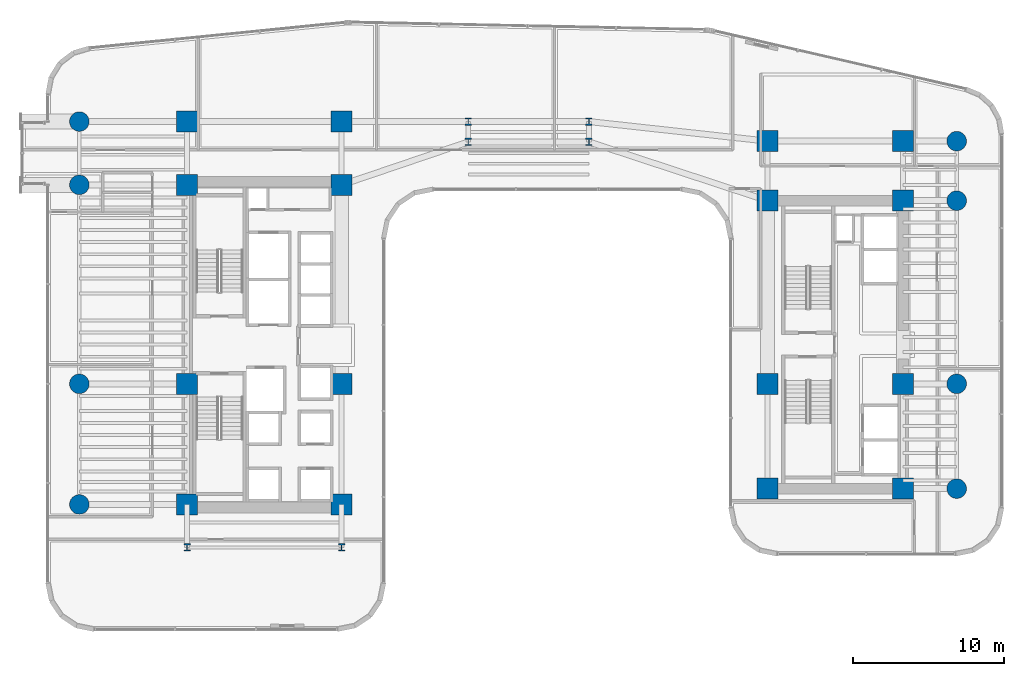
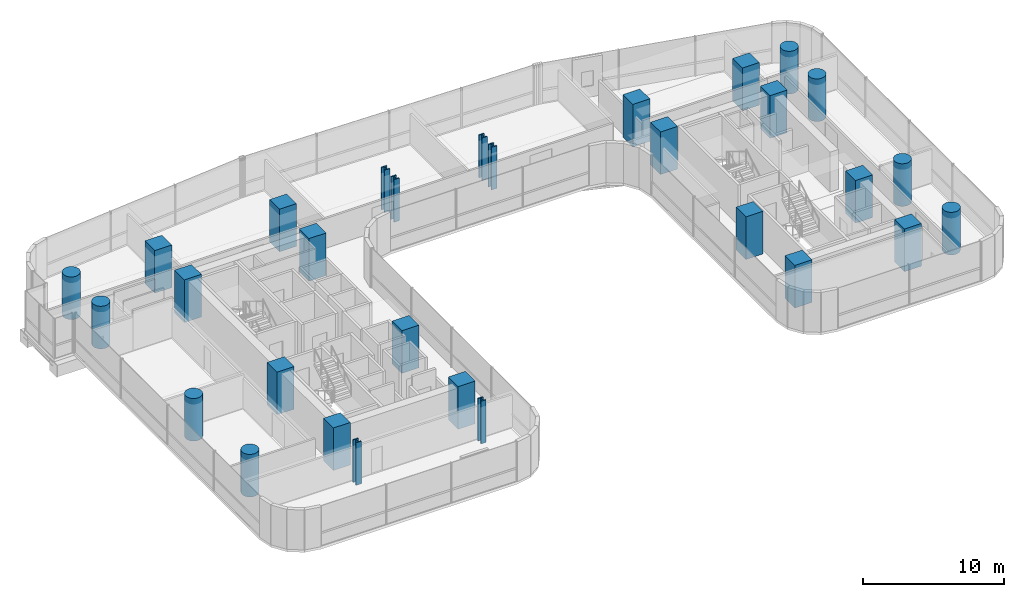
# One storey, part 1 of 40: 30 columns.
"""IFC4 building model written with IfcOpenShell, lengths in metres."""

from ifc_helpers import new_model, si_unit, direction, frame, origin, origin_2d, place, context, subcontext, project, spatial, rectangle, circle, i_section, extrude, source, transform, mapped, material, material_profile, profile_set, type_object, element, save


model = new_model("IFC4")

# Units and contexts
model_context = context("Model", 3, precision=1e-05, world=origin(), true_north=direction((0.0, 1.0)))
body_context = subcontext(model_context, "Body", "Model", "MODEL_VIEW")
ifc_project = project(units=[si_unit("LENGTHUNIT", "METRE"), si_unit("AREAUNIT", "SQUARE_METRE"), si_unit("VOLUMEUNIT", "CUBIC_METRE"), si_unit("PLANEANGLEUNIT", "RADIAN"), si_unit("MASSUNIT", "GRAM", prefix="KILO")], contexts=[model_context])

# Site, building, storey
site_placement = place(None, origin())
site = spatial("IfcSite", under=ifc_project, at=site_placement, CompositionType="ELEMENT")
building_placement = place(site_placement, origin())
building = spatial("IfcBuilding", under=site, at=building_placement, Name="Valdorenza Pilgrim Sanctuary Tower", CompositionType="ELEMENT")
storey_placement = place(building_placement, frame((0.0, 0.0, 51.89990234375)))
storey = spatial("IfcBuildingStorey", under=building, at=storey_placement, Name="L12", CompositionType="ELEMENT", Elevation=51.89990234375)

# Columns
ifc_material_1 = material(Name="Concrete C60/75", Category="concrete")
ifc_material_profile_1 = material_profile(ifc_material_1, circle(Radius=0.64990234375, at=origin_2d()), Name="RC D1300")
ifc_profile_set_1 = profile_set([ifc_material_profile_1], Name="Concrete C60/75")
column_type_1 = type_object("IfcColumnType", Name="COL-RND-1300", PredefinedType="COLUMN", material=ifc_profile_set_1)
shared_shape_1 = source(origin(), body_context, "Body", "SweptSolid", [
    extrude(circle(Radius=0.64990234375, at=origin_2d()), origin(), (0.0, 0.0, 1.0), 3.7001953125),
])
for number, where, z_axis, x_axis, name in (
    (1, (-29.800048828125, -10.60009765625, 0.0), (0.0, 0.0, 1.0), (1.0, 0.0, 0.0), "L12 Perimeter Column WA-W-S1"),
    (2, (-29.800048828125, -2.60009765625, 0.0), (0.0, 0.0, 1.0), (1.0, 0.0, 0.0), "L12 Perimeter Column WA-W-M0"),
    (3, (-29.800048828125, 10.60009765625, 0.0), (0.0, 0.0, 1.0), (1.0, 0.0, 0.0), "L12 Perimeter Column WA-W-N1"),
    (4, (-29.800048828125, 14.800048828125, 0.0), (0.0, 0.0, 1.0), (1.0, 0.0, 0.0), "L12 Perimeter Column WA-W-N2"),
    (5, (28.39990234375, -9.550048828125, 0.0), (0.0, 0.0, 1.0), (1.0, 0.0, 0.0), "L12 Perimeter Column WB-E-S1"),
    (6, (28.39990234375, -2.60009765625, 0.0), (0.0, 0.0, 1.0), (1.0, 0.0, 0.0), "L12 Perimeter Column WB-E-M0"),
    (7, (28.39990234375, 9.550048828125, 0.0), (0.0, 0.0, 1.0), (1.0, 0.0, 0.0), "L12 Perimeter Column WB-E-N1"),
    (8, (28.39990234375, 13.5, 0.0), (0.0, 0.0, 1.0), (1.0, 0.0, 0.0), "L12 Perimeter Column WB-E-N2"),
):
    element("IfcColumn", number, at=place(storey_placement, frame(where, z_axis=z_axis, x_axis=x_axis)), inside=storey, type_object=column_type_1, Name=name, PredefinedType="COLUMN", context=body_context, shape_type="MappedRepresentation", body=[
        mapped(shared_shape_1, transform((0.0, 0.0, 0.0), x_axis=(1.0, 0.0, 0.0), y_axis=(0.0, 1.0, 0.0), z_axis=(0.0, 0.0, 1.0), scale=1.0)),
    ])
ifc_material_profile_2 = material_profile(ifc_material_1, rectangle(XDim=1.39990234375, YDim=1.39990234375, at=origin_2d()), Name="RC 1400x1400")
ifc_profile_set_2 = profile_set([ifc_material_profile_2], Name="Concrete C60/75")
column_type_2 = type_object("IfcColumnType", Name="COL-Z1-1400", PredefinedType="COLUMN", material=ifc_profile_set_2)
shared_shape_2 = source(origin(), body_context, "Body", "SweptSolid", [
    extrude(rectangle(XDim=1.39990234375, YDim=1.39990234375, at=origin_2d()), origin(), (0.0, 0.0, 1.0), 3.7001953125),
])
for number, where, z_axis, x_axis, name in (
    (9, (-22.64990234375, -10.60009765625, 0.0), (0.0, 0.0, 1.0), (1.0, 0.0, 0.0), "L12 Column CA-W-S1"),
    (10, (-12.39990234375, -10.60009765625, 0.0), (0.0, 0.0, 1.0), (1.0, 0.0, 0.0), "L12 Column CA-E-S1"),
    (11, (-22.64990234375, -2.60009765625, 0.0), (0.0, 0.0, 1.0), (1.0, 0.0, 0.0), "L12 Column CA-W-M0"),
    (12, (-12.39990234375, -2.60009765625, 0.0), (0.0, 0.0, 1.0), (1.0, 0.0, 0.0), "L12 Column CA-E-M0"),
    (13, (-22.64990234375, 10.60009765625, 0.0), (0.0, 0.0, 1.0), (1.0, 0.0, 0.0), "L12 Column CA-W-N1"),
    (14, (-12.39990234375, 10.60009765625, 0.0), (0.0, 0.0, 1.0), (1.0, 0.0, 0.0), "L12 Column CA-E-N1"),
    (15, (-22.64990234375, 14.800048828125, 0.0), (0.0, 0.0, 1.0), (1.0, 0.0, 0.0), "L12 Column CA-W-N2"),
    (16, (-12.39990234375, 14.800048828125, 0.0), (0.0, 0.0, 1.0), (1.0, 0.0, 0.0), "L12 Column CA-E-N2"),
    (17, (15.85009765625, -9.550048828125, 0.0), (0.0, 0.0, 1.0), (1.0, 0.0, 0.0), "L12 Column CB-W-S1"),
    (18, (24.85009765625, -9.550048828125, 0.0), (0.0, 0.0, 1.0), (1.0, 0.0, 0.0), "L12 Column CB-E-S1"),
    (19, (15.85009765625, -2.60009765625, 0.0), (0.0, 0.0, 1.0), (1.0, 0.0, 0.0), "L12 Column CB-W-M0"),
    (20, (24.85009765625, -2.60009765625, 0.0), (0.0, 0.0, 1.0), (1.0, 0.0, 0.0), "L12 Column CB-E-M0"),
    (21, (15.85009765625, 9.550048828125, 0.0), (0.0, 0.0, 1.0), (1.0, 0.0, 0.0), "L12 Column CB-W-N1"),
    (22, (24.85009765625, 9.550048828125, 0.0), (0.0, 0.0, 1.0), (1.0, 0.0, 0.0), "L12 Column CB-E-N1"),
    (23, (15.85009765625, 13.5, 0.0), (0.0, 0.0, 1.0), (1.0, 0.0, 0.0), "L12 Column CB-W-N2"),
    (24, (24.85009765625, 13.5, 0.0), (0.0, 0.0, 1.0), (1.0, 0.0, 0.0), "L12 Column CB-E-N2"),
):
    element("IfcColumn", number, at=place(storey_placement, frame(where, z_axis=z_axis, x_axis=x_axis)), inside=storey, type_object=column_type_2, Name=name, PredefinedType="COLUMN", context=body_context, shape_type="MappedRepresentation", body=[
        mapped(shared_shape_2, transform((0.0, 0.0, 0.0), x_axis=(1.0, 0.0, 0.0), y_axis=(0.0, 1.0, 0.0), z_axis=(0.0, 0.0, 1.0), scale=1.0)),
    ])
ifc_material_2 = material(Name="Steel ASTM A992 Grade 50", Category="steel")
ifc_material_profile_3 = material_profile(ifc_material_2, i_section(OverallWidth=0.431884765625, OverallDepth=0.498046875, WebThickness=0.0556640625, FlangeThickness=0.0888671875, at=origin_2d()), Name="W14X500")
ifc_profile_set_3 = profile_set([ifc_material_profile_3], Name="Steel ASTM A992 Grade 50")
column_type_3 = type_object("IfcColumnType", Name="COL-STL-W500", PredefinedType="COLUMN", material=ifc_profile_set_3)
shared_shape_3 = source(origin(), body_context, "Body", "SweptSolid", [
    extrude(i_section(OverallWidth=0.431884765625, OverallDepth=0.498046875, WebThickness=0.0556640625, FlangeThickness=0.0888671875, at=origin_2d()), origin(), (0.0, 0.0, 1.0), 3.7001953125),
])
for number, where, z_axis, x_axis, name in (
    (25, (-22.64990234375, -13.449951171875, 0.0), (0.0, 0.0, 1.0), (1.0, 0.0, 0.0), "L12 Column WA-S-W"),
    (26, (-12.39990234375, -13.449951171875, 0.0), (0.0, 0.0, 1.0), (1.0, 0.0, 0.0), "L12 Column WA-S-E"),
    (27, (-4.0, 13.449951171875, 0.0), (0.0, 0.0, 1.0), (1.0, 0.0, 0.0), "L12 Column KNK-W1"),
    (28, (-4.0, 14.800048828125, 0.0), (0.0, 0.0, 1.0), (1.0, 0.0, 0.0), "L12 Column KNK-W2"),
    (29, (4.0, 13.449951171875, 0.0), (0.0, 0.0, 1.0), (1.0, 0.0, 0.0), "L12 Column KNK-E1"),
    (30, (4.0, 14.800048828125, 0.0), (0.0, 0.0, 1.0), (1.0, 0.0, 0.0), "L12 Column KNK-E2"),
):
    element("IfcColumn", number, at=place(storey_placement, frame(where, z_axis=z_axis, x_axis=x_axis)), inside=storey, type_object=column_type_3, Name=name, PredefinedType="COLUMN", context=body_context, shape_type="MappedRepresentation", body=[
        mapped(shared_shape_3, transform((0.0, 0.0, 0.0), x_axis=(1.0, 0.0, 0.0), y_axis=(0.0, 1.0, 0.0), z_axis=(0.0, 0.0, 1.0), scale=1.0)),
    ])

save(model, "model.ifc")
